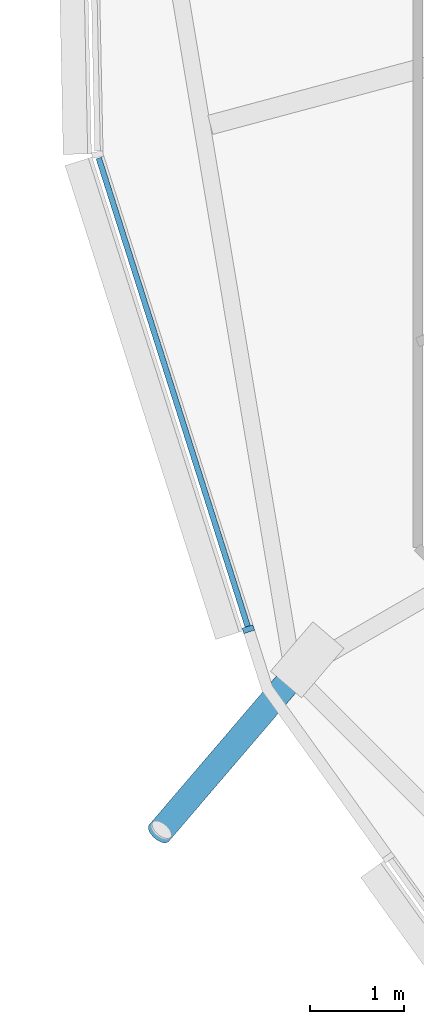
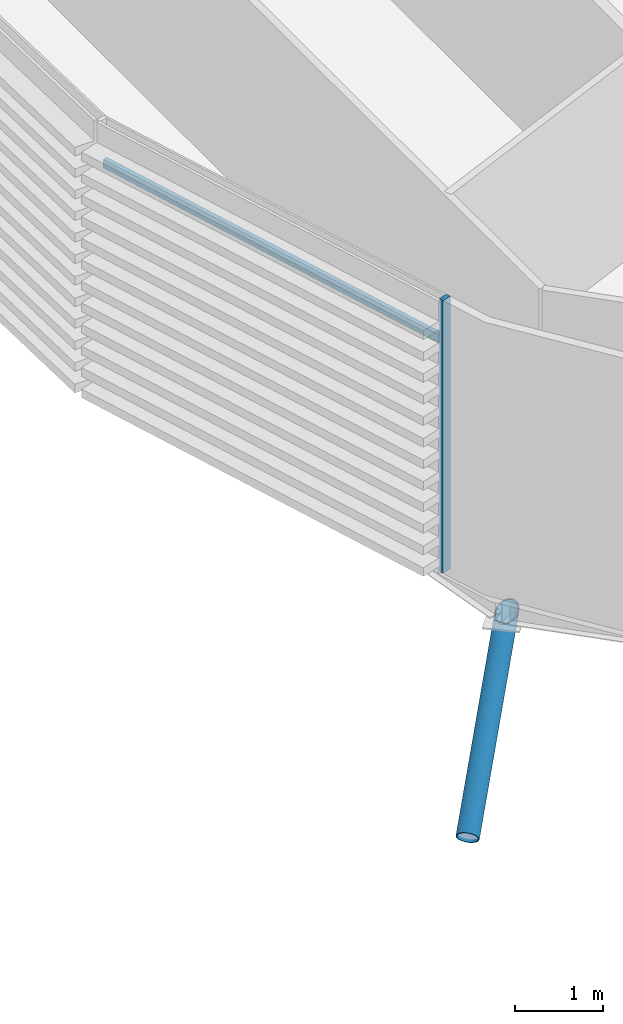
# One storey, part 7 of 38: 3 members, 1 element without a shape of its own.
"""IFC4 building model written with IfcOpenShell, lengths in metres."""

from ifc_helpers import new_model, si_unit, direction, frame, origin, origin_2d, place, context, subcontext, project, spatial, rectangle, hollow_circle, extrude, clip, halfspace, material, material_profile, profile_set, type_object, element, aggregate, save


model = new_model("IFC4")

# Units and contexts
model_context = context("Model", 3, precision=1e-05, world=origin(), true_north=direction((0.0, 1.0)))
body_context = subcontext(model_context, "Body", "Model", "MODEL_VIEW")
ifc_project = project(units=[si_unit("LENGTHUNIT", "METRE"), si_unit("AREAUNIT", "SQUARE_METRE"), si_unit("VOLUMEUNIT", "CUBIC_METRE"), si_unit("PLANEANGLEUNIT", "RADIAN"), si_unit("MASSUNIT", "GRAM", prefix="KILO")], contexts=[model_context])

# Site, building, storey
site_placement = place(None, origin())
site = spatial("IfcSite", under=ifc_project, at=site_placement, CompositionType="ELEMENT")
building_placement = place(site_placement, origin())
building = spatial("IfcBuilding", under=site, at=building_placement, Name="Rimbun Link Towers", CompositionType="ELEMENT")
storey_placement = place(building_placement, frame((0.0, 0.0, 119.60009765625)))
storey = spatial("IfcBuildingStorey", under=building, at=storey_placement, Name="L29", CompositionType="ELEMENT", Elevation=119.60009765625)

# Curtain wall, members
ifc_material_1 = material(Name="Aluminium 6063-T6 and low-iron glass", Category="aluminium")
curtain_wall_type = type_object("IfcCurtainWallType", Name="CW1-Z2 unitised vision wall (zone 2)", PredefinedType="NOTDEFINED", material=ifc_material_1)
curtain_wall_placement = place(storey_placement, origin())
curtain_wall = element("IfcCurtainWall", 1, at=curtain_wall_placement, inside=storey, type_object=curtain_wall_type, Name="CW1 L29 T2", PredefinedType="NOTDEFINED")
ifc_material_2 = material(Name="Aluminium 6063-T6", Category="aluminium")
ifc_material_profile_1 = material_profile(ifc_material_2, rectangle(XDim=0.1201171875, YDim=0.06005859375, at=origin_2d()), Name="MULLION 60X120")
ifc_profile_set_1 = profile_set([ifc_material_profile_1], Name="Aluminium 6063-T6")
member_type_1 = type_object("IfcMemberType", Name="CW1 mullion 60X120", PredefinedType="MULLION", material=ifc_profile_set_1)
member_1_placement = place(storey_placement, frame((11.683837890625, -10.837158203125, 0.0), z_axis=(0.0, 0.0, 1.0), x_axis=(-0.952967205153, -0.303073433186, 0.0)))
member_1 = element("IfcMember", 2, at=member_1_placement, type_object=member_type_1, Name="CW1 mullion", PredefinedType="MULLION", context=body_context, shape_type="SweptSolid", body=[
    extrude(rectangle(XDim=0.1201171875, YDim=0.06005859375, at=origin_2d()), origin(), (0.0, 0.0, 1.0), 3.7998046875),
])
ifc_material_3 = material(Name="Aluminium 6063-T6", Category="aluminium")
ifc_material_profile_2 = material_profile(ifc_material_3, rectangle(XDim=0.06005859375, YDim=0.1201171875, at=origin_2d()), Name="TRANSOM 60X120")
ifc_profile_set_2 = profile_set([ifc_material_profile_2], Name="Aluminium 6063-T6")
member_type_2 = type_object("IfcMemberType", Name="CW1 transom 60X120", PredefinedType="USERDEFINED", material=ifc_profile_set_2)
member_2_placement = place(storey_placement, frame((11.6767578125, -10.807861328125, 3.199951171875), z_axis=(-0.30309935161, 0.952958961894, 0.0), x_axis=(-0.952958961894, -0.30309935161, 0.0)))
member_2 = element("IfcMember", 3, at=member_2_placement, type_object=member_type_2, Name="CW1 transom", ObjectType="TRANSOM", PredefinedType="USERDEFINED", context=body_context, shape_type="SweptSolid", body=[
    extrude(rectangle(XDim=0.06005859375, YDim=0.1201171875, at=origin_2d()), origin(), (0.0, 0.0, 1.0), 5.217041015625),
])
aggregate(curtain_wall, [member_1, member_2])

# Member
ifc_material_4 = material(Name="Steel S355J2H", Category="steel")
ifc_material_profile_3 = material_profile(ifc_material_4, hollow_circle(Radius=0.136474609375, WallThickness=0.012451171875, at=origin_2d()), Name="CHS 273x12.5")
ifc_profile_set_3 = profile_set([ifc_material_profile_3], Name="Steel S355J2H")
member_type_3 = type_object("IfcMemberType", Name="Floor edge link CHS 273x12.5", PredefinedType="BRACE", material=ifc_profile_set_3)
member_3_placement = place(storey_placement, frame((12.202880859375, -11.285400390625, -0.730224609375), z_axis=(-0.557844360043, -0.652086107599, -0.513413457405), x_axis=(0.759881909429, -0.65006113845, 0.0)))
element("IfcMember", 4, at=member_3_placement, inside=storey, type_object=member_type_3, Name="Floor edge link T2 L29 11", PredefinedType="BRACE", context=body_context, shape_type="Clipping", body=[
    clip(extrude(hollow_circle(Radius=0.136474609375, WallThickness=0.012451171875, at=origin_2d()), frame((0.0, 0.0, -0.475830078125)), (0.0, 0.0, 1.0), 3.10791015625), halfspace(frame((0.0, 0.0, -0.223388671875), z_axis=(0.0, 0.858141376322, -0.513413457405)), False)),
])

save(model, "model.ifc")
